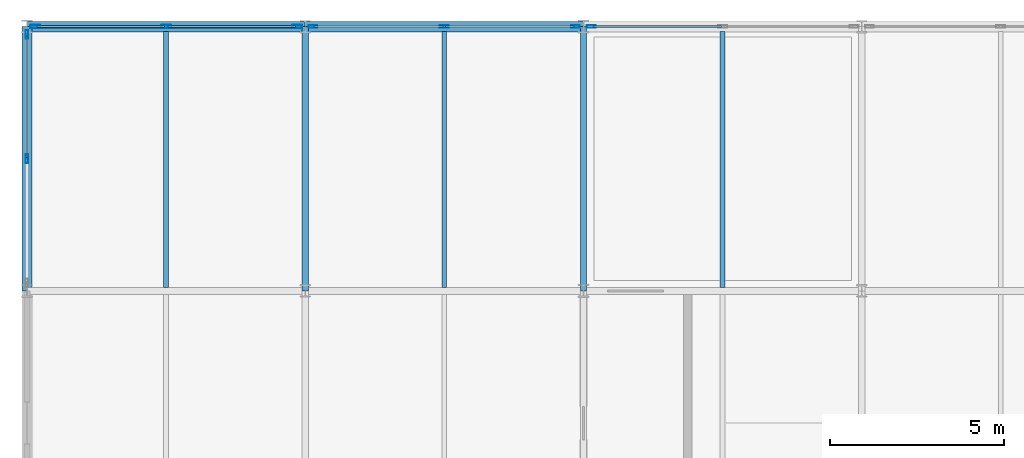
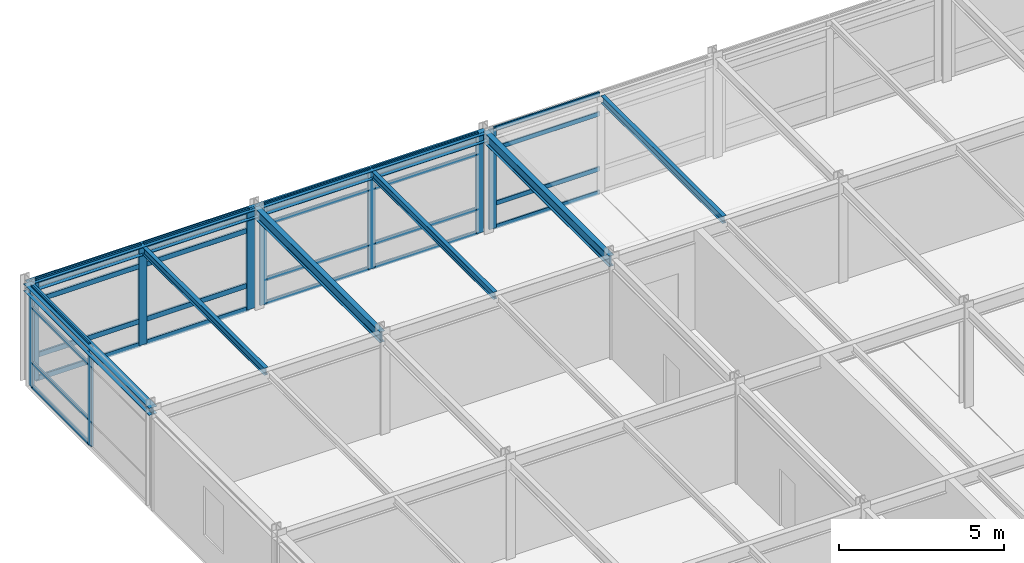
# One storey, part 8 of 16: 33 members, 8 beams, 4 elements without a shape of their own.
"""IFC4 building model written with IfcOpenShell, lengths in metres."""

from ifc_helpers import new_model, si_unit, direction, frame, origin, origin_2d, place, context, subcontext, project, spatial, hollow_rectangle, i_section, extrude, material, layer, layer_set, material_profile, profile_set, type_object, element, aggregate, save


model = new_model("IFC4")

# Units and contexts
model_context = context("Model", 3, precision=1e-05, world=origin(), true_north=direction((0.0, 1.0)))
body_context = subcontext(model_context, "Body", "Model", "MODEL_VIEW")
ifc_project = project(units=[si_unit("LENGTHUNIT", "METRE"), si_unit("AREAUNIT", "SQUARE_METRE"), si_unit("VOLUMEUNIT", "CUBIC_METRE"), si_unit("PLANEANGLEUNIT", "RADIAN"), si_unit("MASSUNIT", "GRAM", prefix="KILO")], contexts=[model_context])

# Site, building, storey
site_placement = place(None, origin())
site = spatial("IfcSite", under=ifc_project, at=site_placement, CompositionType="ELEMENT")
building_placement = place(site_placement, origin())
building = spatial("IfcBuilding", under=site, at=building_placement, Name="Shalkamar Park Central Library", CompositionType="ELEMENT")
storey_placement = place(building_placement, frame((0.0, 0.0, 43.800048828125)))
storey = spatial("IfcBuildingStorey", under=building, at=storey_placement, Name="L11", CompositionType="ELEMENT", Elevation=43.800048828125)

# Beams
ifc_material_1 = material(Name="Steel S355", Category="steel")
ifc_material_profile_1 = material_profile(ifc_material_1, i_section(OverallWidth=0.135009765625, OverallDepth=0.27001953125, WebThickness=0.006591796875, FlangeThickness=0.01025390625, FilletRadius=0.014892578125, at=origin_2d()), Name="IPE 270")
ifc_profile_set_1 = profile_set([ifc_material_profile_1], Name="Steel S355")
beam_type_1 = type_object("IfcBeamType", Name="Composite Floor Joist IPE270", PredefinedType="JOIST", material=ifc_profile_set_1)
for number, where, z_axis, x_axis, name in (
    (1, (169.0, 278.097900390625, 3.544921875), (0.0, 1.0, 0.0), (-1.0, 0.0, 0.0), "Composite Joist 07/F-1 (L11)"),
    (2, (177.0, 278.097900390625, 3.544921875), (0.0, 1.0, 0.0), (-1.0, 0.0, 0.0), "Composite Joist 08/F-1 (L11)"),
    (3, (185.0, 278.097900390625, 3.544921875), (0.0, 1.0, 0.0), (-1.0, 0.0, 0.0), "Composite Joist 09/F-1 (L11)"),
):
    element("IfcBeam", number, at=place(storey_placement, frame(where, z_axis=z_axis, x_axis=x_axis)), inside=storey, type_object=beam_type_1, Name=name, PredefinedType="JOIST", context=body_context, shape_type="SweptSolid", body=[
        extrude(i_section(OverallWidth=0.135009765625, OverallDepth=0.27001953125, WebThickness=0.006591796875, FlangeThickness=0.01025390625, FilletRadius=0.014892578125, at=origin_2d()), origin(), (0.0, 0.0, 1.0), 7.35400390625),
    ])

# Curtain wall, members
ifc_material_2 = material(Name="Thermally broken aluminium and triple low-e curtain wall", Category="aluminium")
ifc_layer_1 = layer(ifc_material_2, 0.25)
ifc_layer_set_1 = layer_set([ifc_layer_1], Name="UnitisedCurtainWall_79")
curtain_wall_type_1 = type_object("IfcCurtainWallType", Name="Unitised Curtain Wall 79", PredefinedType="USERDEFINED", material=ifc_layer_set_1)
curtain_wall_1_placement = place(storey_placement, origin())
curtain_wall_1 = element("IfcCurtainWall", 4, at=curtain_wall_1_placement, inside=storey, type_object=curtain_wall_type_1, Name="Unitised Curtain Wall CW-L11-127", ObjectType="UNITISED CURTAIN WALL", PredefinedType="USERDEFINED")
ifc_material_3 = material(Name="Aluminium 6060-T66", Category="aluminium")
ifc_material_profile_2 = material_profile(ifc_material_3, hollow_rectangle(XDim=0.074951171875, YDim=0.25, WallThickness=0.00390625, InnerFilletRadius=0.00390625, OuterFilletRadius=0.006103515625, at=origin_2d()), Name="ALU 75x250x4")
ifc_profile_set_2 = profile_set([ifc_material_profile_2], Name="Aluminium 6060-T66")
member_type_1 = type_object("IfcMemberType", Name="Curtain Wall Mullion ALU75x250", PredefinedType="MULLION", material=ifc_profile_set_2)
member_1_placement = place(storey_placement, frame((173.220947265625, 285.60009765625, 0.0), z_axis=(0.0, 0.0, 1.0), x_axis=(0.0, 1.0, 0.0)))
member_1 = element("IfcMember", 5, at=member_1_placement, type_object=member_type_1, Name="CW-79 mullion 1", PredefinedType="MULLION", context=body_context, shape_type="SweptSolid", body=[
    extrude(hollow_rectangle(XDim=0.074951171875, YDim=0.25, WallThickness=0.00390625, InnerFilletRadius=0.00390625, OuterFilletRadius=0.006103515625, at=origin_2d()), origin(), (0.0, 0.0, 1.0), 3.679931640625),
])
member_2_placement = place(storey_placement, frame((176.99560546875, 285.60009765625, 0.0), z_axis=(0.0, 0.0, 1.0), x_axis=(0.0, 1.0, 0.0)))
member_2 = element("IfcMember", 6, at=member_2_placement, type_object=member_type_1, Name="CW-79 mullion 2", PredefinedType="MULLION", context=body_context, shape_type="SweptSolid", body=[
    extrude(hollow_rectangle(XDim=0.074951171875, YDim=0.25, WallThickness=0.00390625, InnerFilletRadius=0.00390625, OuterFilletRadius=0.006103515625, at=origin_2d()), origin(), (0.0, 0.0, 1.0), 3.679931640625),
])
member_3_placement = place(storey_placement, frame((180.77001953125, 285.60009765625, 0.0), z_axis=(0.0, 0.0, 1.0), x_axis=(0.0, 1.0, 0.0)))
member_3 = element("IfcMember", 7, at=member_3_placement, type_object=member_type_1, Name="CW-79 mullion 3", PredefinedType="MULLION", context=body_context, shape_type="SweptSolid", body=[
    extrude(hollow_rectangle(XDim=0.074951171875, YDim=0.25, WallThickness=0.00390625, InnerFilletRadius=0.00390625, OuterFilletRadius=0.006103515625, at=origin_2d()), origin(), (0.0, 0.0, 1.0), 3.679931640625),
])

ifc_layer_2 = layer(ifc_material_2, 0.25)
ifc_layer_set_2 = layer_set([ifc_layer_2], Name="UnitisedCurtainWall_82")
curtain_wall_type_2 = type_object("IfcCurtainWallType", Name="Unitised Curtain Wall 82", PredefinedType="USERDEFINED", material=ifc_layer_set_2)
curtain_wall_2_placement = place(storey_placement, origin())
curtain_wall_2 = element("IfcCurtainWall", 8, at=curtain_wall_2_placement, inside=storey, type_object=curtain_wall_type_2, Name="Unitised Curtain Wall CW-L11-133", ObjectType="UNITISED CURTAIN WALL", PredefinedType="USERDEFINED")
member_4_placement = place(storey_placement, frame((165.0, 281.800048828125, 0.0), z_axis=(0.0, 0.0, 1.0), x_axis=(-1.0, 0.0, 0.0)))
member_4 = element("IfcMember", 9, at=member_4_placement, type_object=member_type_1, Name="CW-82 mullion 2", PredefinedType="MULLION", context=body_context, shape_type="SweptSolid", body=[
    extrude(hollow_rectangle(XDim=0.074951171875, YDim=0.25, WallThickness=0.00390625, InnerFilletRadius=0.00390625, OuterFilletRadius=0.006103515625, at=origin_2d()), origin(), (0.0, 0.0, 1.0), 3.679931640625),
])
member_5_placement = place(storey_placement, frame((165.0, 285.3701171875, 0.0), z_axis=(0.0, 0.0, 1.0), x_axis=(-1.0, 0.0, 0.0)))
member_5 = element("IfcMember", 10, at=member_5_placement, type_object=member_type_1, Name="CW-82 mullion 3", PredefinedType="MULLION", context=body_context, shape_type="SweptSolid", body=[
    extrude(hollow_rectangle(XDim=0.074951171875, YDim=0.25, WallThickness=0.00390625, InnerFilletRadius=0.00390625, OuterFilletRadius=0.006103515625, at=origin_2d()), origin(), (0.0, 0.0, 1.0), 3.679931640625),
])

# Curtain wall, member
ifc_layer_3 = layer(ifc_material_2, 0.260009765625)
ifc_layer_set_3 = layer_set([ifc_layer_3], Name="UnitisedCurtainWall_80")
curtain_wall_type_3 = type_object("IfcCurtainWallType", Name="Unitised Curtain Wall 80", PredefinedType="USERDEFINED", material=ifc_layer_set_3)
curtain_wall_3_placement = place(storey_placement, origin())
curtain_wall_3 = element("IfcCurtainWall", 11, at=curtain_wall_3_placement, inside=storey, type_object=curtain_wall_type_3, Name="Unitised Curtain Wall CW-L11-128", ObjectType="UNITISED CURTAIN WALL", PredefinedType="USERDEFINED")
ifc_material_profile_3 = material_profile(ifc_material_3, hollow_rectangle(XDim=0.074951171875, YDim=0.260009765625, WallThickness=0.00439453125, InnerFilletRadius=0.00439453125, OuterFilletRadius=0.0068359375, at=origin_2d()), Name="ALU 75x260x4.5")
ifc_profile_set_3 = profile_set([ifc_material_profile_3], Name="Aluminium 6060-T66")
member_type_2 = type_object("IfcMemberType", Name="Curtain Wall Mullion ALU75x260", PredefinedType="MULLION", material=ifc_profile_set_3)
member_6_placement = place(storey_placement, frame((181.22998046875, 285.60009765625, 0.0), z_axis=(0.0, 0.0, 1.0), x_axis=(0.0, 1.0, 0.0)))
member_6 = element("IfcMember", 12, at=member_6_placement, type_object=member_type_2, Name="CW-80 mullion 1", PredefinedType="MULLION", context=body_context, shape_type="SweptSolid", body=[
    extrude(hollow_rectangle(XDim=0.074951171875, YDim=0.260009765625, WallThickness=0.00439453125, InnerFilletRadius=0.00439453125, OuterFilletRadius=0.0068359375, at=origin_2d()), origin(), (0.0, 0.0, 1.0), 3.679931640625),
])

# Curtain wall, members
ifc_layer_4 = layer(ifc_material_2, 0.280029296875)
ifc_layer_set_4 = layer_set([ifc_layer_4], Name="UnitisedCurtainWall_78")
curtain_wall_type_4 = type_object("IfcCurtainWallType", Name="Unitised Curtain Wall 78", PredefinedType="USERDEFINED", material=ifc_layer_set_4)
curtain_wall_4_placement = place(storey_placement, origin())
curtain_wall_4 = element("IfcCurtainWall", 13, at=curtain_wall_4_placement, inside=storey, type_object=curtain_wall_type_4, Name="Unitised Curtain Wall CW-L11-126", ObjectType="UNITISED CURTAIN WALL", PredefinedType="USERDEFINED")
ifc_material_profile_4 = material_profile(ifc_material_3, hollow_rectangle(XDim=0.090087890625, YDim=0.280029296875, WallThickness=0.0048828125, InnerFilletRadius=0.0048828125, OuterFilletRadius=0.007568359375, at=origin_2d()), Name="ALU 90x280x5")
ifc_profile_set_4 = profile_set([ifc_material_profile_4], Name="Aluminium 6060-T66")
member_type_3 = type_object("IfcMemberType", Name="Curtain Wall Mullion ALU90x280", PredefinedType="MULLION", material=ifc_profile_set_4)
member_7_placement = place(storey_placement, frame((165.237548828125, 285.60009765625, 0.0), z_axis=(0.0, 0.0, 1.0), x_axis=(0.0, 1.0, 0.0)))
member_7 = element("IfcMember", 14, at=member_7_placement, type_object=member_type_3, Name="CW-78 mullion 1", PredefinedType="MULLION", context=body_context, shape_type="SweptSolid", body=[
    extrude(hollow_rectangle(XDim=0.090087890625, YDim=0.280029296875, WallThickness=0.0048828125, InnerFilletRadius=0.0048828125, OuterFilletRadius=0.007568359375, at=origin_2d()), origin(), (0.0, 0.0, 1.0), 3.679931640625),
])
member_8_placement = place(storey_placement, frame((169.00439453125, 285.60009765625, 0.0), z_axis=(0.0, 0.0, 1.0), x_axis=(0.0, 1.0, 0.0)))
member_8 = element("IfcMember", 15, at=member_8_placement, type_object=member_type_3, Name="CW-78 mullion 2", PredefinedType="MULLION", context=body_context, shape_type="SweptSolid", body=[
    extrude(hollow_rectangle(XDim=0.090087890625, YDim=0.280029296875, WallThickness=0.0048828125, InnerFilletRadius=0.0048828125, OuterFilletRadius=0.007568359375, at=origin_2d()), origin(), (0.0, 0.0, 1.0), 3.679931640625),
])
member_9_placement = place(storey_placement, frame((172.771484375, 285.60009765625, 0.0), z_axis=(0.0, 0.0, 1.0), x_axis=(0.0, 1.0, 0.0)))
member_9 = element("IfcMember", 16, at=member_9_placement, type_object=member_type_3, Name="CW-78 mullion 3", PredefinedType="MULLION", context=body_context, shape_type="SweptSolid", body=[
    extrude(hollow_rectangle(XDim=0.090087890625, YDim=0.280029296875, WallThickness=0.0048828125, InnerFilletRadius=0.0048828125, OuterFilletRadius=0.007568359375, at=origin_2d()), origin(), (0.0, 0.0, 1.0), 3.679931640625),
])

# Member
ifc_material_profile_5 = material_profile(ifc_material_3, hollow_rectangle(XDim=0.06005859375, YDim=0.159912109375, WallThickness=0.00390625, InnerFilletRadius=0.00390625, OuterFilletRadius=0.006103515625, at=origin_2d()), Name="ALU 60x160x4")
ifc_profile_set_5 = profile_set([ifc_material_profile_5], Name="Aluminium 6060-T66")
member_type_4 = type_object("IfcMemberType", Name="Curtain Wall Transom ALU60x160", PredefinedType="USERDEFINED", material=ifc_profile_set_5)
member_10_placement = place(storey_placement, frame((173.258544921875, 285.60009765625, 0.030029296875), z_axis=(1.0, 0.0, 0.0), x_axis=(0.0, 1.0, 0.0)))
member_10 = element("IfcMember", 17, at=member_10_placement, type_object=member_type_4, Name="CW-79 transom 1.1", ObjectType="TRANSOM", PredefinedType="USERDEFINED", context=body_context, shape_type="SweptSolid", body=[
    extrude(hollow_rectangle(XDim=0.06005859375, YDim=0.159912109375, WallThickness=0.00390625, InnerFilletRadius=0.00390625, OuterFilletRadius=0.006103515625, at=origin_2d()), origin(), (0.0, 0.0, 1.0), 3.699462890625),
])

member_11_placement = place(storey_placement, frame((173.258544921875, 285.60009765625, 0.89990234375), z_axis=(1.0, 0.0, 0.0), x_axis=(0.0, 1.0, 0.0)))
member_11 = element("IfcMember", 18, at=member_11_placement, type_object=member_type_4, Name="CW-79 transom 1.2", ObjectType="TRANSOM", PredefinedType="USERDEFINED", context=body_context, shape_type="SweptSolid", body=[
    extrude(hollow_rectangle(XDim=0.06005859375, YDim=0.159912109375, WallThickness=0.00390625, InnerFilletRadius=0.00390625, OuterFilletRadius=0.006103515625, at=origin_2d()), origin(), (0.0, 0.0, 1.0), 3.699462890625),
])

member_12_placement = place(storey_placement, frame((173.258544921875, 285.60009765625, 2.929931640625), z_axis=(1.0, 0.0, 0.0), x_axis=(0.0, 1.0, 0.0)))
member_12 = element("IfcMember", 19, at=member_12_placement, type_object=member_type_4, Name="CW-79 transom 1.3", ObjectType="TRANSOM", PredefinedType="USERDEFINED", context=body_context, shape_type="SweptSolid", body=[
    extrude(hollow_rectangle(XDim=0.06005859375, YDim=0.159912109375, WallThickness=0.00390625, InnerFilletRadius=0.00390625, OuterFilletRadius=0.006103515625, at=origin_2d()), origin(), (0.0, 0.0, 1.0), 3.699462890625),
])

member_13_placement = place(storey_placement, frame((173.258544921875, 285.60009765625, 3.64990234375), z_axis=(1.0, 0.0, 0.0), x_axis=(0.0, 1.0, 0.0)))
member_13 = element("IfcMember", 20, at=member_13_placement, type_object=member_type_4, Name="CW-79 transom 1.4", ObjectType="TRANSOM", PredefinedType="USERDEFINED", context=body_context, shape_type="SweptSolid", body=[
    extrude(hollow_rectangle(XDim=0.06005859375, YDim=0.159912109375, WallThickness=0.00390625, InnerFilletRadius=0.00390625, OuterFilletRadius=0.006103515625, at=origin_2d()), origin(), (0.0, 0.0, 1.0), 3.699462890625),
])

member_14_placement = place(storey_placement, frame((177.032958984375, 285.60009765625, 0.030029296875), z_axis=(1.0, 0.0, 0.0), x_axis=(0.0, 1.0, 0.0)))
member_14 = element("IfcMember", 21, at=member_14_placement, type_object=member_type_4, Name="CW-79 transom 2.1", ObjectType="TRANSOM", PredefinedType="USERDEFINED", context=body_context, shape_type="SweptSolid", body=[
    extrude(hollow_rectangle(XDim=0.06005859375, YDim=0.159912109375, WallThickness=0.00390625, InnerFilletRadius=0.00390625, OuterFilletRadius=0.006103515625, at=origin_2d()), origin(), (0.0, 0.0, 1.0), 3.699462890625),
])

member_15_placement = place(storey_placement, frame((177.032958984375, 285.60009765625, 0.89990234375), z_axis=(1.0, 0.0, 0.0), x_axis=(0.0, 1.0, 0.0)))
member_15 = element("IfcMember", 22, at=member_15_placement, type_object=member_type_4, Name="CW-79 transom 2.2", ObjectType="TRANSOM", PredefinedType="USERDEFINED", context=body_context, shape_type="SweptSolid", body=[
    extrude(hollow_rectangle(XDim=0.06005859375, YDim=0.159912109375, WallThickness=0.00390625, InnerFilletRadius=0.00390625, OuterFilletRadius=0.006103515625, at=origin_2d()), origin(), (0.0, 0.0, 1.0), 3.699462890625),
])

member_16_placement = place(storey_placement, frame((177.032958984375, 285.60009765625, 2.929931640625), z_axis=(1.0, 0.0, 0.0), x_axis=(0.0, 1.0, 0.0)))
member_16 = element("IfcMember", 23, at=member_16_placement, type_object=member_type_4, Name="CW-79 transom 2.3", ObjectType="TRANSOM", PredefinedType="USERDEFINED", context=body_context, shape_type="SweptSolid", body=[
    extrude(hollow_rectangle(XDim=0.06005859375, YDim=0.159912109375, WallThickness=0.00390625, InnerFilletRadius=0.00390625, OuterFilletRadius=0.006103515625, at=origin_2d()), origin(), (0.0, 0.0, 1.0), 3.699462890625),
])

member_17_placement = place(storey_placement, frame((177.032958984375, 285.60009765625, 3.64990234375), z_axis=(1.0, 0.0, 0.0), x_axis=(0.0, 1.0, 0.0)))
member_17 = element("IfcMember", 24, at=member_17_placement, type_object=member_type_4, Name="CW-79 transom 2.4", ObjectType="TRANSOM", PredefinedType="USERDEFINED", context=body_context, shape_type="SweptSolid", body=[
    extrude(hollow_rectangle(XDim=0.06005859375, YDim=0.159912109375, WallThickness=0.00390625, InnerFilletRadius=0.00390625, OuterFilletRadius=0.006103515625, at=origin_2d()), origin(), (0.0, 0.0, 1.0), 3.699462890625),
])

aggregate(curtain_wall_1, [member_1, member_2, member_3, member_10, member_11, member_12, member_13, member_14, member_15, member_16, member_17])

member_18_placement = place(storey_placement, frame((165.0, 281.83740234375, 0.030029296875), z_axis=(0.0, 1.0, 0.0), x_axis=(-1.0, 0.0, 0.0)))
member_18 = element("IfcMember", 25, at=member_18_placement, type_object=member_type_4, Name="CW-82 transom 2.1", ObjectType="TRANSOM", PredefinedType="USERDEFINED", context=body_context, shape_type="SweptSolid", body=[
    extrude(hollow_rectangle(XDim=0.06005859375, YDim=0.159912109375, WallThickness=0.00390625, InnerFilletRadius=0.00390625, OuterFilletRadius=0.006103515625, at=origin_2d()), origin(), (0.0, 0.0, 1.0), 3.4951171875),
])

member_19_placement = place(storey_placement, frame((165.0, 281.83740234375, 0.89990234375), z_axis=(0.0, 1.0, 0.0), x_axis=(-1.0, 0.0, 0.0)))
member_19 = element("IfcMember", 26, at=member_19_placement, type_object=member_type_4, Name="CW-82 transom 2.2", ObjectType="TRANSOM", PredefinedType="USERDEFINED", context=body_context, shape_type="SweptSolid", body=[
    extrude(hollow_rectangle(XDim=0.06005859375, YDim=0.159912109375, WallThickness=0.00390625, InnerFilletRadius=0.00390625, OuterFilletRadius=0.006103515625, at=origin_2d()), origin(), (0.0, 0.0, 1.0), 3.4951171875),
])

member_20_placement = place(storey_placement, frame((165.0, 281.83740234375, 2.929931640625), z_axis=(0.0, 1.0, 0.0), x_axis=(-1.0, 0.0, 0.0)))
member_20 = element("IfcMember", 27, at=member_20_placement, type_object=member_type_4, Name="CW-82 transom 2.3", ObjectType="TRANSOM", PredefinedType="USERDEFINED", context=body_context, shape_type="SweptSolid", body=[
    extrude(hollow_rectangle(XDim=0.06005859375, YDim=0.159912109375, WallThickness=0.00390625, InnerFilletRadius=0.00390625, OuterFilletRadius=0.006103515625, at=origin_2d()), origin(), (0.0, 0.0, 1.0), 3.4951171875),
])

member_21_placement = place(storey_placement, frame((165.0, 281.83740234375, 3.64990234375), z_axis=(0.0, 1.0, 0.0), x_axis=(-1.0, 0.0, 0.0)))
member_21 = element("IfcMember", 28, at=member_21_placement, type_object=member_type_4, Name="CW-82 transom 2.4", ObjectType="TRANSOM", PredefinedType="USERDEFINED", context=body_context, shape_type="SweptSolid", body=[
    extrude(hollow_rectangle(XDim=0.06005859375, YDim=0.159912109375, WallThickness=0.00390625, InnerFilletRadius=0.00390625, OuterFilletRadius=0.006103515625, at=origin_2d()), origin(), (0.0, 0.0, 1.0), 3.4951171875),
])

aggregate(curtain_wall_2, [member_4, member_5, member_18, member_19, member_20, member_21])

ifc_material_profile_6 = material_profile(ifc_material_3, hollow_rectangle(XDim=0.06005859375, YDim=0.1650390625, WallThickness=0.00390625, InnerFilletRadius=0.00390625, OuterFilletRadius=0.006103515625, at=origin_2d()), Name="ALU 60x165x4")
ifc_profile_set_6 = profile_set([ifc_material_profile_6], Name="Aluminium 6060-T66")
member_type_5 = type_object("IfcMemberType", Name="Curtain Wall Transom ALU60x165", PredefinedType="USERDEFINED", material=ifc_profile_set_6)
member_22_placement = place(storey_placement, frame((181.267578125, 285.60009765625, 0.030029296875), z_axis=(1.0, 0.0, 0.0), x_axis=(0.0, 1.0, 0.0)))
member_22 = element("IfcMember", 29, at=member_22_placement, type_object=member_type_5, Name="CW-80 transom 1.1", ObjectType="TRANSOM", PredefinedType="USERDEFINED", context=body_context, shape_type="SweptSolid", body=[
    extrude(hollow_rectangle(XDim=0.06005859375, YDim=0.1650390625, WallThickness=0.00390625, InnerFilletRadius=0.00390625, OuterFilletRadius=0.006103515625, at=origin_2d()), origin(), (0.0, 0.0, 1.0), 3.699462890625),
])

member_23_placement = place(storey_placement, frame((181.267578125, 285.60009765625, 0.89990234375), z_axis=(1.0, 0.0, 0.0), x_axis=(0.0, 1.0, 0.0)))
member_23 = element("IfcMember", 30, at=member_23_placement, type_object=member_type_5, Name="CW-80 transom 1.2", ObjectType="TRANSOM", PredefinedType="USERDEFINED", context=body_context, shape_type="SweptSolid", body=[
    extrude(hollow_rectangle(XDim=0.06005859375, YDim=0.1650390625, WallThickness=0.00390625, InnerFilletRadius=0.00390625, OuterFilletRadius=0.006103515625, at=origin_2d()), origin(), (0.0, 0.0, 1.0), 3.699462890625),
])

member_24_placement = place(storey_placement, frame((181.267578125, 285.60009765625, 2.929931640625), z_axis=(1.0, 0.0, 0.0), x_axis=(0.0, 1.0, 0.0)))
member_24 = element("IfcMember", 31, at=member_24_placement, type_object=member_type_5, Name="CW-80 transom 1.3", ObjectType="TRANSOM", PredefinedType="USERDEFINED", context=body_context, shape_type="SweptSolid", body=[
    extrude(hollow_rectangle(XDim=0.06005859375, YDim=0.1650390625, WallThickness=0.00390625, InnerFilletRadius=0.00390625, OuterFilletRadius=0.006103515625, at=origin_2d()), origin(), (0.0, 0.0, 1.0), 3.699462890625),
])

member_25_placement = place(storey_placement, frame((181.267578125, 285.60009765625, 3.64990234375), z_axis=(1.0, 0.0, 0.0), x_axis=(0.0, 1.0, 0.0)))
member_25 = element("IfcMember", 32, at=member_25_placement, type_object=member_type_5, Name="CW-80 transom 1.4", ObjectType="TRANSOM", PredefinedType="USERDEFINED", context=body_context, shape_type="SweptSolid", body=[
    extrude(hollow_rectangle(XDim=0.06005859375, YDim=0.1650390625, WallThickness=0.00390625, InnerFilletRadius=0.00390625, OuterFilletRadius=0.006103515625, at=origin_2d()), origin(), (0.0, 0.0, 1.0), 3.699462890625),
])

aggregate(curtain_wall_3, [member_6, member_22, member_23, member_24, member_25])

ifc_material_profile_7 = material_profile(ifc_material_3, hollow_rectangle(XDim=0.070068359375, YDim=0.18994140625, WallThickness=0.0048828125, InnerFilletRadius=0.0048828125, OuterFilletRadius=0.007568359375, at=origin_2d()), Name="ALU 70x190x5")
ifc_profile_set_7 = profile_set([ifc_material_profile_7], Name="Aluminium 6060-T66")
member_type_6 = type_object("IfcMemberType", Name="Curtain Wall Transom ALU70x190", PredefinedType="USERDEFINED", material=ifc_profile_set_7)
member_26_placement = place(storey_placement, frame((165.282470703125, 285.60009765625, 0.034912109375), z_axis=(1.0, 0.0, 0.0), x_axis=(0.0, 1.0, 0.0)))
member_26 = element("IfcMember", 33, at=member_26_placement, type_object=member_type_6, Name="CW-78 transom 1.1", ObjectType="TRANSOM", PredefinedType="USERDEFINED", context=body_context, shape_type="SweptSolid", body=[
    extrude(hollow_rectangle(XDim=0.070068359375, YDim=0.18994140625, WallThickness=0.0048828125, InnerFilletRadius=0.0048828125, OuterFilletRadius=0.007568359375, at=origin_2d()), origin(), (0.0, 0.0, 1.0), 3.677001953125),
])

member_27_placement = place(storey_placement, frame((165.282470703125, 285.60009765625, 0.89990234375), z_axis=(1.0, 0.0, 0.0), x_axis=(0.0, 1.0, 0.0)))
member_27 = element("IfcMember", 34, at=member_27_placement, type_object=member_type_6, Name="CW-78 transom 1.2", ObjectType="TRANSOM", PredefinedType="USERDEFINED", context=body_context, shape_type="SweptSolid", body=[
    extrude(hollow_rectangle(XDim=0.070068359375, YDim=0.18994140625, WallThickness=0.0048828125, InnerFilletRadius=0.0048828125, OuterFilletRadius=0.007568359375, at=origin_2d()), origin(), (0.0, 0.0, 1.0), 3.677001953125),
])

member_28_placement = place(storey_placement, frame((165.282470703125, 285.60009765625, 2.929931640625), z_axis=(1.0, 0.0, 0.0), x_axis=(0.0, 1.0, 0.0)))
member_28 = element("IfcMember", 35, at=member_28_placement, type_object=member_type_6, Name="CW-78 transom 1.3", ObjectType="TRANSOM", PredefinedType="USERDEFINED", context=body_context, shape_type="SweptSolid", body=[
    extrude(hollow_rectangle(XDim=0.070068359375, YDim=0.18994140625, WallThickness=0.0048828125, InnerFilletRadius=0.0048828125, OuterFilletRadius=0.007568359375, at=origin_2d()), origin(), (0.0, 0.0, 1.0), 3.677001953125),
])

member_29_placement = place(storey_placement, frame((165.282470703125, 285.60009765625, 3.64501953125), z_axis=(1.0, 0.0, 0.0), x_axis=(0.0, 1.0, 0.0)))
member_29 = element("IfcMember", 36, at=member_29_placement, type_object=member_type_6, Name="CW-78 transom 1.4", ObjectType="TRANSOM", PredefinedType="USERDEFINED", context=body_context, shape_type="SweptSolid", body=[
    extrude(hollow_rectangle(XDim=0.070068359375, YDim=0.18994140625, WallThickness=0.0048828125, InnerFilletRadius=0.0048828125, OuterFilletRadius=0.007568359375, at=origin_2d()), origin(), (0.0, 0.0, 1.0), 3.677001953125),
])

member_30_placement = place(storey_placement, frame((169.049560546875, 285.60009765625, 0.034912109375), z_axis=(1.0, 0.0, 0.0), x_axis=(0.0, 1.0, 0.0)))
member_30 = element("IfcMember", 37, at=member_30_placement, type_object=member_type_6, Name="CW-78 transom 2.1", ObjectType="TRANSOM", PredefinedType="USERDEFINED", context=body_context, shape_type="SweptSolid", body=[
    extrude(hollow_rectangle(XDim=0.070068359375, YDim=0.18994140625, WallThickness=0.0048828125, InnerFilletRadius=0.0048828125, OuterFilletRadius=0.007568359375, at=origin_2d()), origin(), (0.0, 0.0, 1.0), 3.677001953125),
])

member_31_placement = place(storey_placement, frame((169.049560546875, 285.60009765625, 0.89990234375), z_axis=(1.0, 0.0, 0.0), x_axis=(0.0, 1.0, 0.0)))
member_31 = element("IfcMember", 38, at=member_31_placement, type_object=member_type_6, Name="CW-78 transom 2.2", ObjectType="TRANSOM", PredefinedType="USERDEFINED", context=body_context, shape_type="SweptSolid", body=[
    extrude(hollow_rectangle(XDim=0.070068359375, YDim=0.18994140625, WallThickness=0.0048828125, InnerFilletRadius=0.0048828125, OuterFilletRadius=0.007568359375, at=origin_2d()), origin(), (0.0, 0.0, 1.0), 3.677001953125),
])

member_32_placement = place(storey_placement, frame((169.049560546875, 285.60009765625, 2.929931640625), z_axis=(1.0, 0.0, 0.0), x_axis=(0.0, 1.0, 0.0)))
member_32 = element("IfcMember", 39, at=member_32_placement, type_object=member_type_6, Name="CW-78 transom 2.3", ObjectType="TRANSOM", PredefinedType="USERDEFINED", context=body_context, shape_type="SweptSolid", body=[
    extrude(hollow_rectangle(XDim=0.070068359375, YDim=0.18994140625, WallThickness=0.0048828125, InnerFilletRadius=0.0048828125, OuterFilletRadius=0.007568359375, at=origin_2d()), origin(), (0.0, 0.0, 1.0), 3.677001953125),
])

member_33_placement = place(storey_placement, frame((169.049560546875, 285.60009765625, 3.64501953125), z_axis=(1.0, 0.0, 0.0), x_axis=(0.0, 1.0, 0.0)))
member_33 = element("IfcMember", 40, at=member_33_placement, type_object=member_type_6, Name="CW-78 transom 2.4", ObjectType="TRANSOM", PredefinedType="USERDEFINED", context=body_context, shape_type="SweptSolid", body=[
    extrude(hollow_rectangle(XDim=0.070068359375, YDim=0.18994140625, WallThickness=0.0048828125, InnerFilletRadius=0.0048828125, OuterFilletRadius=0.007568359375, at=origin_2d()), origin(), (0.0, 0.0, 1.0), 3.677001953125),
])

aggregate(curtain_wall_4, [member_7, member_8, member_9, member_26, member_27, member_28, member_29, member_30, member_31, member_32, member_33])

# Beams
ifc_material_profile_8 = material_profile(ifc_material_1, i_section(OverallWidth=0.280029296875, OverallDepth=0.27001953125, WebThickness=0.008056640625, FlangeThickness=0.012939453125, FilletRadius=0.02392578125, at=origin_2d()), Name="HEA 280")
ifc_profile_set_8 = profile_set([ifc_material_profile_8], Name="Steel S355")
beam_type_2 = type_object("IfcBeamType", Name="Perimeter Spandrel Beam HEA280", PredefinedType="SPANDREL", material=ifc_profile_set_8)
beam_placement = place(storey_placement, frame((165.0, 278.0, 3.544921875), z_axis=(0.0, 1.0, 0.0), x_axis=(-1.0, 0.0, 0.0)))
element("IfcBeam", 41, at=beam_placement, inside=storey, type_object=beam_type_2, Name="Beam 07:F-G (L11)", PredefinedType="SPANDREL", context=body_context, shape_type="SweptSolid", body=[
    extrude(i_section(OverallWidth=0.280029296875, OverallDepth=0.27001953125, WebThickness=0.008056640625, FlangeThickness=0.012939453125, FilletRadius=0.02392578125, at=origin_2d()), origin(), (0.0, 0.0, 1.0), 7.60009765625),
])
ifc_material_profile_9 = material_profile(ifc_material_1, i_section(OverallWidth=0.300048828125, OverallDepth=0.31005859375, WebThickness=0.009033203125, FlangeThickness=0.015380859375, FilletRadius=0.027099609375, at=origin_2d()), Name="HEA 320")
ifc_profile_set_9 = profile_set([ifc_material_profile_9], Name="Steel S355")
beam_type_3 = type_object("IfcBeamType", Name="Perimeter Spandrel Beam HEA320", PredefinedType="SPANDREL", material=ifc_profile_set_9)
for number, where, z_axis, x_axis, name in (
    (42, (165.0, 285.60009765625, 3.52490234375), (1.0, 0.0, 0.0), (0.0, 1.0, 0.0), "Beam G:07-08 (L11)"),
    (43, (173.0, 285.60009765625, 3.52490234375), (1.0, 0.0, 0.0), (0.0, 1.0, 0.0), "Beam G:08-09 (L11)"),
):
    element("IfcBeam", number, at=place(storey_placement, frame(where, z_axis=z_axis, x_axis=x_axis)), inside=storey, type_object=beam_type_3, Name=name, PredefinedType="SPANDREL", context=body_context, shape_type="SweptSolid", body=[
        extrude(i_section(OverallWidth=0.300048828125, OverallDepth=0.31005859375, WebThickness=0.009033203125, FlangeThickness=0.015380859375, FilletRadius=0.027099609375, at=origin_2d()), origin(), (0.0, 0.0, 1.0), 8.0),
    ])
ifc_material_profile_10 = material_profile(ifc_material_1, i_section(OverallWidth=0.179931640625, OverallDepth=0.39990234375, WebThickness=0.008544921875, FlangeThickness=0.013427734375, FilletRadius=0.02099609375, at=origin_2d()), Name="IPE 400")
ifc_profile_set_10 = profile_set([ifc_material_profile_10], Name="Steel S355")
beam_type_4 = type_object("IfcBeamType", Name="Primary Girder IPE400", PredefinedType="BEAM", material=ifc_profile_set_10)
for number, where, z_axis, x_axis, name in (
    (44, (173.0, 278.0, 3.47998046875), (0.0, 1.0, 0.0), (-1.0, 0.0, 0.0), "Beam 08:F-G (L11)"),
    (45, (181.0, 278.0, 3.47998046875), (0.0, 1.0, 0.0), (-1.0, 0.0, 0.0), "Beam 09:F-G (L11)"),
):
    element("IfcBeam", number, at=place(storey_placement, frame(where, z_axis=z_axis, x_axis=x_axis)), inside=storey, type_object=beam_type_4, Name=name, PredefinedType="BEAM", context=body_context, shape_type="SweptSolid", body=[
        extrude(i_section(OverallWidth=0.179931640625, OverallDepth=0.39990234375, WebThickness=0.008544921875, FlangeThickness=0.013427734375, FilletRadius=0.02099609375, at=origin_2d()), origin(), (0.0, 0.0, 1.0), 7.60009765625),
    ])

save(model, "model.ifc")
